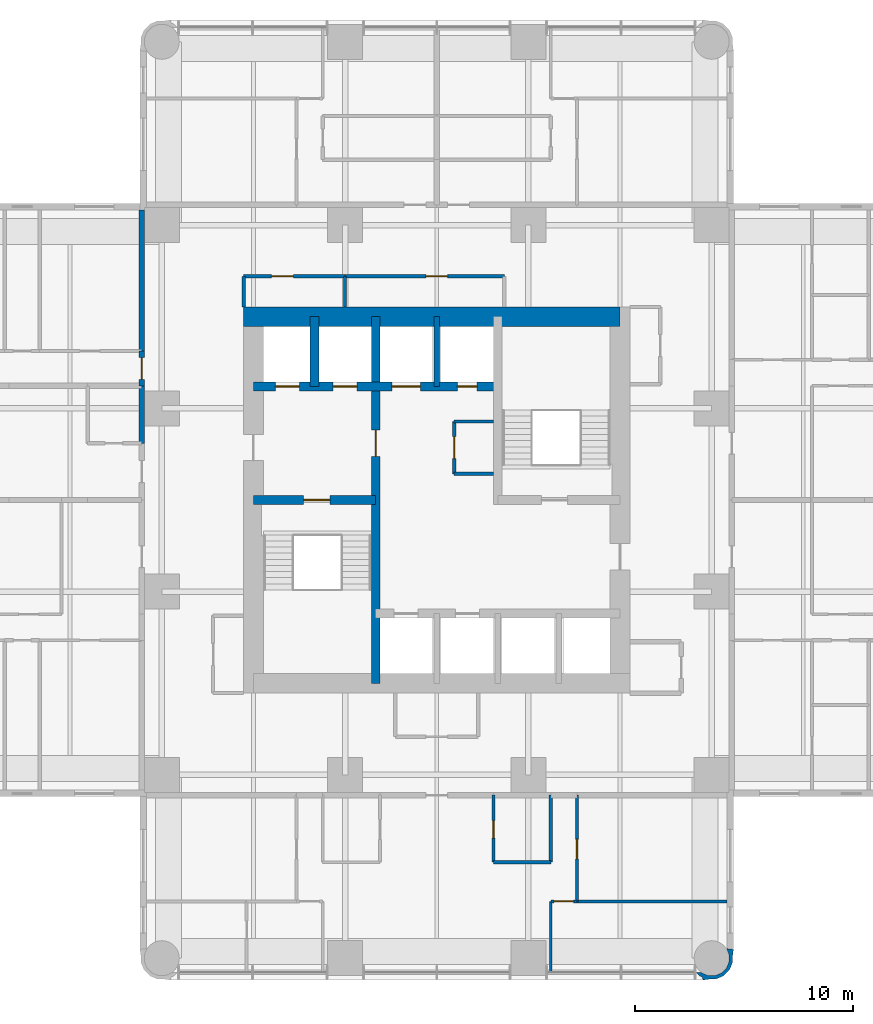
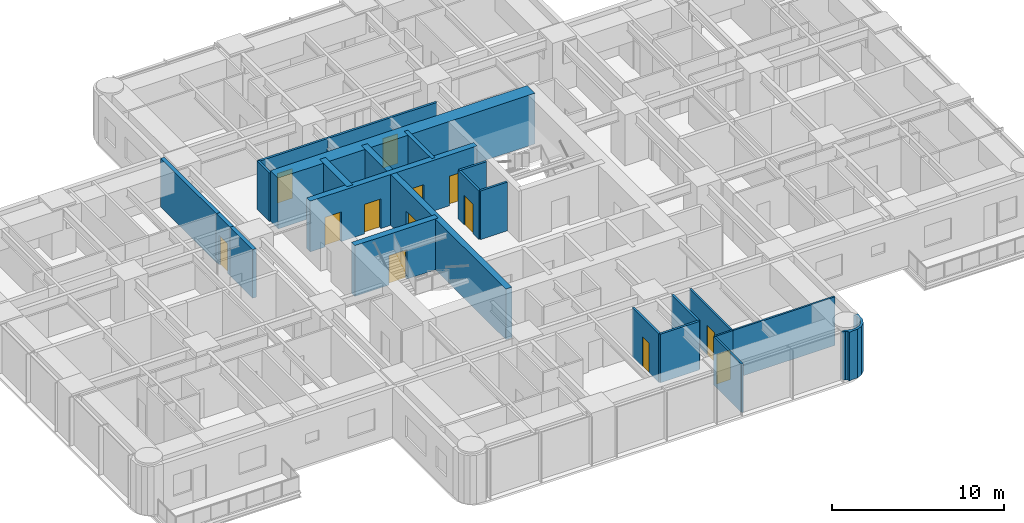
# One storey, part 8 of 15: 24 walls, 13 doors, 13 openings.
"""IFC4 building model written with IfcOpenShell, lengths in metres."""

from ifc_helpers import new_model, si_unit, direction, frame, frame_2d, origin, place, context, subcontext, project, spatial, polyline, rectangle, outline, extrude, material, layer, layer_set, type_object, element, fill, save


model = new_model("IFC4")

# Units and contexts
model_context = context("Model", 3, precision=1e-05, world=origin(), true_north=direction((0.0, 1.0)))
body_context = subcontext(model_context, "Body", "Model", "MODEL_VIEW")
ifc_project = project(units=[si_unit("LENGTHUNIT", "METRE"), si_unit("AREAUNIT", "SQUARE_METRE"), si_unit("VOLUMEUNIT", "CUBIC_METRE"), si_unit("PLANEANGLEUNIT", "RADIAN"), si_unit("MASSUNIT", "GRAM", prefix="KILO")], contexts=[model_context])

# Site, building, storey
site_placement = place(None, origin())
site = spatial("IfcSite", under=ifc_project, at=site_placement, CompositionType="ELEMENT")
building_placement = place(site_placement, origin())
building = spatial("IfcBuilding", under=site, at=building_placement, Name="Torre Alcanfor", CompositionType="ELEMENT")
storey_placement = place(building_placement, frame((0.0, 0.0, 119.699951171875)))
storey = spatial("IfcBuildingStorey", under=building, at=storey_placement, Name="L30", CompositionType="ELEMENT", Elevation=119.699951171875)

# Wall
ifc_material_1 = material(Name="Concrete block masonry, hollow blocks NMX-C-404 9 MPa", Category="masonry")
ifc_layer_1 = layer(ifc_material_1, 0.25)
ifc_layer_set_1 = layer_set([ifc_layer_1], Name="Apartment entrance wall 250 EI 60")
wall_type_1 = type_object("IfcWallType", Name="Apartment entrance wall 250 EI 60", PredefinedType="PARTITIONING", material=ifc_layer_set_1)
wall_1_placement = place(storey_placement, frame((15.875, 32.0, 0.0), z_axis=(0.0, 0.0, 1.0), x_axis=(0.0, 1.0, 0.0)))
element("IfcWall", 1, at=wall_1_placement, inside=storey, type_object=wall_type_1, Name="Partition L30-CORR / L30-W2A-BATH", PredefinedType="PARTITIONING", context=body_context, shape_type="SweptSolid", body=[
    extrude(rectangle(XDim=2.62890625, YDim=0.25, at=frame_2d((1.314453125, 0.0))), origin(), (0.0, 0.0, 1.0), 3.449951171875),
])

# Wall, opening, door
wall_2_placement = place(storey_placement, frame((15.875, 34.62890625, 0.0), z_axis=(0.0, 0.0, 1.0), x_axis=(0.0, 1.0, 0.0)))
wall_2 = element("IfcWall", 2, at=wall_2_placement, inside=storey, type_object=wall_type_1, Name="Partition L30-CORR / L30-W2B-HALL", PredefinedType="PARTITIONING", context=body_context, shape_type="SweptSolid", body=[
    extrude(rectangle(XDim=1.60009765625, YDim=0.25, at=frame_2d((0.800048828125, 0.0))), origin(), (0.0, 0.0, 1.0), 3.449951171875),
])
opening_1_placement = place(wall_2_placement, frame((0.300048828125, 0.0, 0.0)))
opening_1 = element("IfcOpeningElement", 3, at=opening_1_placement, cuts=wall_2, Name="Opening D-A1", PredefinedType="OPENING", context=body_context, shape_type="SweptSolid", body=[
    extrude(rectangle(XDim=1.0, YDim=2.10009765625, at=frame_2d((0.5, 1.050048828125))), frame((0.0, 0.135009765625, 0.0), z_axis=(0.0, -1.0, 0.0), x_axis=(1.0, 0.0, 0.0)), (0.0, 0.0, 1.0), 0.27001953125),
])
ifc_material_2 = material(Name="Galvanised steel sheet ASTM A653", Category="steel")
door_type_1 = type_object("IfcDoorType", Name="Apartment entrance door FD60 1000x2100", OperationType="SINGLE_SWING_LEFT", PredefinedType="DOOR", material=ifc_material_2)
door_1_placement = place(opening_1_placement, origin())
door_1 = element("IfcDoor", 4, at=door_1_placement, inside=storey, type_object=door_type_1, Name="Apartment entrance L30-W2B", OperationType="SINGLE_SWING_LEFT", OverallHeight=2.10009765625, OverallWidth=1.0, PredefinedType="DOOR", context=body_context, shape_type="SweptSolid", body=[
    extrude(rectangle(XDim=1.0, YDim=2.10009765625, at=frame_2d((0.5, 1.050048828125))), frame((0.0, 0.02490234375, 0.0), z_axis=(0.0, -1.0, 0.0), x_axis=(1.0, 0.0, 0.0)), (0.0, 0.0, 1.0), 0.050048828125),
])
fill(opening_1, door_1)

# Wall
wall_3_placement = place(storey_placement, frame((15.875, 36.22900390625, 0.0), z_axis=(0.0, 0.0, 1.0), x_axis=(0.0, 1.0, 0.0)))
element("IfcWall", 5, at=wall_3_placement, inside=storey, type_object=wall_type_1, Name="Partition L30-CORR / L30-W2B-BED2", PredefinedType="PARTITIONING", context=body_context, shape_type="SweptSolid", body=[
    extrude(rectangle(XDim=6.470947265625, YDim=0.25, at=frame_2d((3.2353515625, 0.0))), origin(), (0.0, 0.0, 1.0), 3.449951171875),
])

# Wall, opening, door
ifc_material_3 = material(Name="Gypsum board on steel studs", Category="steel")
ifc_layer_2 = layer(ifc_material_3, 0.1201171875)
ifc_layer_set_2 = layer_set([ifc_layer_2], Name="Apartment partition 120")
wall_type_2 = type_object("IfcWallType", Name="Apartment partition 120", PredefinedType="PARTITIONING", material=ifc_layer_set_2)
wall_4_placement = place(storey_placement, frame((35.8291015625, 15.875, 0.0), z_axis=(0.0, 0.0, 1.0), x_axis=(0.0, -1.0, 0.0)))
wall_4 = element("IfcWall", 6, at=wall_4_placement, inside=storey, type_object=wall_type_2, Name="Partition L30-SX-LIVING / L30-SX-BED2", PredefinedType="PARTITIONING", context=body_context, shape_type="SweptSolid", body=[
    extrude(rectangle(XDim=4.875, YDim=0.1201171875, at=frame_2d((2.4375, 0.0))), origin(), (0.0, 0.0, 1.0), 3.449951171875),
])
opening_2_placement = place(wall_4_placement, frame((2.02490234375, 0.0, 0.0)))
opening_2 = element("IfcOpeningElement", 7, at=opening_2_placement, cuts=wall_4, Name="Opening D-R1", PredefinedType="OPENING", context=body_context, shape_type="SweptSolid", body=[
    extrude(rectangle(XDim=0.89990234375, YDim=2.10009765625, at=frame_2d((0.449951171875, 1.050048828125))), frame((0.0, 0.070068359375, 0.0), z_axis=(0.0, -1.0, 0.0), x_axis=(1.0, 0.0, 0.0)), (0.0, 0.0, 1.0), 0.14013671875),
])
ifc_material_4 = material(Name="Timber", Category="wood")
door_type_2 = type_object("IfcDoorType", Name="Internal door 900x2100", OperationType="SINGLE_SWING_LEFT", PredefinedType="DOOR", material=ifc_material_4)
door_2_placement = place(opening_2_placement, origin())
door_2 = element("IfcDoor", 8, at=door_2_placement, inside=storey, type_object=door_type_2, Name="Door L30-SX bed2", OperationType="SINGLE_SWING_RIGHT", OverallHeight=2.10009765625, OverallWidth=0.89990234375, PredefinedType="DOOR", context=body_context, shape_type="SweptSolid", body=[
    extrude(rectangle(XDim=0.89990234375, YDim=2.10009765625, at=frame_2d((0.449951171875, 1.050048828125))), frame((0.0, 0.02490234375, 0.0), z_axis=(0.0, -1.0, 0.0), x_axis=(1.0, 0.0, 0.0)), (0.0, 0.0, 1.0), 0.050048828125),
])
fill(opening_2, door_2)

wall_5_placement = place(storey_placement, frame((35.8291015625, 11.0, 0.0), z_axis=(0.0, 0.0, 1.0), x_axis=(-1.0, 0.0, 0.0)))
wall_5 = element("IfcWall", 9, at=wall_5_placement, inside=storey, type_object=wall_type_2, Name="Partition L30-SX-LIVING / L30-SX-MASTER", PredefinedType="PARTITIONING", context=body_context, shape_type="SweptSolid", body=[
    extrude(rectangle(XDim=1.2001953125, YDim=0.1201171875, at=frame_2d((0.60009765625, 0.0))), origin(), (0.0, 0.0, 1.0), 3.449951171875),
])
opening_3_placement = place(wall_5_placement, frame((0.14892578125, 0.0, 0.0)))
opening_3 = element("IfcOpeningElement", 10, at=opening_3_placement, cuts=wall_5, Name="Opening D-R1", PredefinedType="OPENING", context=body_context, shape_type="SweptSolid", body=[
    extrude(rectangle(XDim=0.89990234375, YDim=2.10009765625, at=frame_2d((0.449951171875, 1.050048828125))), frame((0.0, 0.070068359375, 0.0), z_axis=(0.0, -1.0, 0.0), x_axis=(1.0, 0.0, 0.0)), (0.0, 0.0, 1.0), 0.14013671875),
])
door_3_placement = place(opening_3_placement, origin())
door_3 = element("IfcDoor", 11, at=door_3_placement, inside=storey, type_object=door_type_2, Name="Door L30-SX master", OperationType="SINGLE_SWING_RIGHT", OverallHeight=2.10009765625, OverallWidth=0.89990234375, PredefinedType="DOOR", context=body_context, shape_type="SweptSolid", body=[
    extrude(rectangle(XDim=0.89990234375, YDim=2.10009765625, at=frame_2d((0.449951171875, 1.050048828125))), frame((0.0, 0.02490234375, 0.0), z_axis=(0.0, -1.0, 0.0), x_axis=(1.0, 0.0, 0.0)), (0.0, 0.0, 1.0), 0.050048828125),
])
fill(opening_3, door_3)

# Walls
wall_6_placement = place(storey_placement, frame((34.62890625, 11.0, 0.0), z_axis=(0.0, 0.0, 1.0), x_axis=(0.0, -1.0, 0.0)))
element("IfcWall", 12, at=wall_6_placement, inside=storey, type_object=wall_type_2, Name="Partition L30-SX-LIVING / L30-SX-MASTER", PredefinedType="PARTITIONING", context=body_context, shape_type="SweptSolid", body=[
    extrude(rectangle(XDim=3.25, YDim=0.1201171875, at=frame_2d((1.625, 0.0))), origin(), (0.0, 0.0, 1.0), 3.449951171875),
])
wall_7_placement = place(storey_placement, frame((35.8291015625, 11.0, 0.0), z_axis=(0.0, 0.0, 1.0), x_axis=(1.0, 0.0, 0.0)))
element("IfcWall", 13, at=wall_7_placement, inside=storey, type_object=wall_type_2, Name="Partition L30-SX-BED2 / L30-SX-MASTER", PredefinedType="PARTITIONING", context=body_context, shape_type="SweptSolid", body=[
    extrude(rectangle(XDim=6.870849609375, YDim=0.1201171875, at=frame_2d((3.435546875, 0.0))), origin(), (0.0, 0.0, 1.0), 3.449951171875),
])

# Wall, opening, door
ifc_material_5 = material(Name="Concrete f'c 70 MPa", Category="concrete")
ifc_layer_3 = layer(ifc_material_5, 0.39990234375)
ifc_layer_set_3 = layer_set([ifc_layer_3], Name="Core inner wall 400 f'c70")
wall_type_3 = type_object("IfcWallType", Name="Core inner wall 400 f'c70", PredefinedType="SHEAR", material=ifc_layer_set_3)
wall_8_placement = place(storey_placement, frame((26.60009765625, 21.0, 0.0), z_axis=(0.0, 0.0, 1.0), x_axis=(0.0, 1.0, 0.0)))
wall_8 = element("IfcWall", 14, at=wall_8_placement, inside=storey, type_object=wall_type_3, Name="Core wall X266 L30", PredefinedType="SHEAR", context=body_context, shape_type="SweptSolid", body=[
    extrude(rectangle(XDim=16.800048828125, YDim=0.39990234375, at=frame_2d((8.39990234375, 0.0))), origin(), (0.0, 0.0, 1.0), 3.60009765625),
])
opening_4_placement = place(wall_8_placement, frame((10.39990234375, 0.0, 0.0)))
opening_4 = element("IfcOpeningElement", 15, at=opening_4_placement, cuts=wall_8, Name="Opening D-L1", PredefinedType="OPENING", context=body_context, shape_type="SweptSolid", body=[
    extrude(rectangle(XDim=1.199951171875, YDim=2.10009765625, at=frame_2d((0.60009765625, 1.050048828125))), frame((0.0, 0.2099609375, 0.0), z_axis=(0.0, -1.0, 0.0), x_axis=(1.0, 0.0, 0.0)), (0.0, 0.0, 1.0), 0.419921875),
])
ifc_material_6 = material(Name="Galvanised steel sheet ASTM A653", Category="steel")
door_type_3 = type_object("IfcDoorType", Name="Lobby door FD120 1200x2100", OperationType="SINGLE_SWING_LEFT", PredefinedType="DOOR", material=ifc_material_6)
door_4_placement = place(opening_4_placement, origin())
door_4 = element("IfcDoor", 16, at=door_4_placement, inside=storey, type_object=door_type_3, Name="Lift lobby door L30", OperationType="SINGLE_SWING_LEFT", OverallHeight=2.10009765625, OverallWidth=1.199951171875, PredefinedType="DOOR", context=body_context, shape_type="SweptSolid", body=[
    extrude(rectangle(XDim=1.199951171875, YDim=2.10009765625, at=frame_2d((0.60009765625, 1.050048828125))), frame((0.0, 0.02490234375, 0.0), z_axis=(0.0, -1.0, 0.0), x_axis=(1.0, 0.0, 0.0)), (0.0, 0.0, 1.0), 0.050048828125),
])
fill(opening_4, door_4)

wall_9_placement = place(storey_placement, frame((21.0, 29.39990234375, 0.0), z_axis=(0.0, 0.0, 1.0), x_axis=(1.0, 0.0, 0.0)))
wall_9 = element("IfcWall", 17, at=wall_9_placement, inside=storey, type_object=wall_type_3, Name="Core wall Y294W L30", PredefinedType="SHEAR", context=body_context, shape_type="SweptSolid", body=[
    extrude(rectangle(XDim=5.60009765625, YDim=0.39990234375, at=frame_2d((2.800048828125, 0.0))), origin(), (0.0, 0.0, 1.0), 3.60009765625),
])
opening_5_placement = place(wall_9_placement, frame((2.300048828125, 0.0, 0.0)))
opening_5 = element("IfcOpeningElement", 18, at=opening_5_placement, cuts=wall_9, Name="Opening D-S2", PredefinedType="OPENING", context=body_context, shape_type="SweptSolid", body=[
    extrude(rectangle(XDim=1.199951171875, YDim=2.10009765625, at=frame_2d((0.60009765625, 1.050048828125))), frame((0.0, 0.2099609375, 0.0), z_axis=(0.0, -1.0, 0.0), x_axis=(1.0, 0.0, 0.0)), (0.0, 0.0, 1.0), 0.419921875),
])
ifc_material_7 = material(Name="Galvanised steel sheet ASTM A653", Category="steel")
door_type_4 = type_object("IfcDoorType", Name="Stair enclosure door FD120 1200x2100", OperationType="SINGLE_SWING_LEFT", PredefinedType="DOOR", material=ifc_material_7)
door_5_placement = place(opening_5_placement, frame((1.199951171875, 0.0, 0.0), z_axis=(0.0, 0.0, 1.0), x_axis=(-1.0, 0.0, 0.0)))
door_5 = element("IfcDoor", 19, at=door_5_placement, inside=storey, type_object=door_type_4, Name="Stair S1 door L30", OperationType="SINGLE_SWING_LEFT", OverallHeight=2.10009765625, OverallWidth=1.199951171875, PredefinedType="DOOR", context=body_context, shape_type="SweptSolid", body=[
    extrude(rectangle(XDim=1.199951171875, YDim=2.10009765625, at=frame_2d((0.599853515625, 1.050048828125))), frame((0.0, 0.025146484375, 0.0), z_axis=(0.0, -1.0, 0.0), x_axis=(1.0, 0.0, 0.0)), (0.0, 0.0, 1.0), 0.050048828125),
])
fill(opening_5, door_5)

# Wall, openings, doors
wall_10_placement = place(storey_placement, frame((21.0, 34.60009765625, 0.0), z_axis=(0.0, 0.0, 1.0), x_axis=(1.0, 0.0, 0.0)))
wall_10 = element("IfcWall", 20, at=wall_10_placement, inside=storey, type_object=wall_type_3, Name="Core wall Y346 L30", PredefinedType="SHEAR", context=body_context, shape_type="SweptSolid", body=[
    extrude(rectangle(XDim=11.199951171875, YDim=0.39990234375, at=frame_2d((5.60009765625, 0.0))), origin(), (0.0, 0.0, 1.0), 3.60009765625),
])
opening_6_placement = place(wall_10_placement, frame((9.35009765625, 0.0, 0.0)))
opening_6 = element("IfcOpeningElement", 21, at=opening_6_placement, cuts=wall_10, Name="Opening D-Q1", PredefinedType="OPENING", context=body_context, shape_type="SweptSolid", body=[
    extrude(rectangle(XDim=0.89990234375, YDim=2.10009765625, at=frame_2d((0.449951171875, 1.050048828125))), frame((0.0, 0.2099609375, 0.0), z_axis=(0.0, -1.0, 0.0), x_axis=(1.0, 0.0, 0.0)), (0.0, 0.0, 1.0), 0.419921875),
])
opening_7_placement = place(wall_10_placement, frame((1.0, 0.0, 0.0)))
opening_7 = element("IfcOpeningElement", 22, at=opening_7_placement, cuts=wall_10, Name="Opening LD2", PredefinedType="OPENING", context=body_context, shape_type="SweptSolid", body=[
    extrude(rectangle(XDim=1.10009765625, YDim=2.10009765625, at=frame_2d((0.550048828125, 1.050048828125))), frame((0.0, 0.2099609375, 0.0), z_axis=(0.0, -1.0, 0.0), x_axis=(1.0, 0.0, 0.0)), (0.0, 0.0, 1.0), 0.419921875),
])
opening_8_placement = place(wall_10_placement, frame((3.64990234375, 0.0, 0.0)))
opening_8 = element("IfcOpeningElement", 23, at=opening_8_placement, cuts=wall_10, Name="Opening LD2", PredefinedType="OPENING", context=body_context, shape_type="SweptSolid", body=[
    extrude(rectangle(XDim=1.10009765625, YDim=2.10009765625, at=frame_2d((0.550048828125, 1.050048828125))), frame((0.0, 0.2099609375, 0.0), z_axis=(0.0, -1.0, 0.0), x_axis=(1.0, 0.0, 0.0)), (0.0, 0.0, 1.0), 0.419921875),
])
opening_9_placement = place(wall_10_placement, frame((6.35009765625, 0.0, 0.0)))
opening_9 = element("IfcOpeningElement", 24, at=opening_9_placement, cuts=wall_10, Name="Opening LD3", PredefinedType="OPENING", context=body_context, shape_type="SweptSolid", body=[
    extrude(rectangle(XDim=1.300048828125, YDim=2.10009765625, at=frame_2d((0.64990234375, 1.050048828125))), frame((0.0, 0.2099609375, 0.0), z_axis=(0.0, -1.0, 0.0), x_axis=(1.0, 0.0, 0.0)), (0.0, 0.0, 1.0), 0.419921875),
])
ifc_material_8 = material(Name="Galvanised steel sheet ASTM A653", Category="steel")
door_type_5 = type_object("IfcDoorType", Name="Firefighting lift landing door 1100x2100", OperationType="DOUBLE_DOOR_SLIDING", PredefinedType="DOOR", material=ifc_material_8)
door_6_placement = place(opening_7_placement, origin())
door_6 = element("IfcDoor", 25, at=door_6_placement, inside=storey, type_object=door_type_5, Name="Lift landing door FL1 L30", OperationType="DOUBLE_DOOR_SLIDING", OverallHeight=2.10009765625, OverallWidth=1.10009765625, PredefinedType="DOOR", context=body_context, shape_type="SweptSolid", body=[
    extrude(rectangle(XDim=1.10009765625, YDim=2.10009765625, at=frame_2d((0.550048828125, 1.050048828125))), frame((0.0, 0.02490234375, 0.0), z_axis=(0.0, -1.0, 0.0), x_axis=(1.0, 0.0, 0.0)), (0.0, 0.0, 1.0), 0.050048828125),
])
fill(opening_7, door_6)
door_7_placement = place(opening_8_placement, origin())
door_7 = element("IfcDoor", 26, at=door_7_placement, inside=storey, type_object=door_type_5, Name="Lift landing door FL2 L30", OperationType="DOUBLE_DOOR_SLIDING", OverallHeight=2.10009765625, OverallWidth=1.10009765625, PredefinedType="DOOR", context=body_context, shape_type="SweptSolid", body=[
    extrude(rectangle(XDim=1.10009765625, YDim=2.10009765625, at=frame_2d((0.550048828125, 1.050048828125))), frame((0.0, 0.02490234375, 0.0), z_axis=(0.0, -1.0, 0.0), x_axis=(1.0, 0.0, 0.0)), (0.0, 0.0, 1.0), 0.050048828125),
])
fill(opening_8, door_7)
ifc_material_9 = material(Name="Galvanised steel sheet ASTM A653", Category="steel")
door_type_6 = type_object("IfcDoorType", Name="Riser access door FD120 900x2100", OperationType="SINGLE_SWING_LEFT", PredefinedType="DOOR", material=ifc_material_9)
door_8_placement = place(opening_6_placement, origin())
door_8 = element("IfcDoor", 27, at=door_8_placement, inside=storey, type_object=door_type_6, Name="Riser door L30", OperationType="SINGLE_SWING_LEFT", OverallHeight=2.10009765625, OverallWidth=0.89990234375, PredefinedType="DOOR", context=body_context, shape_type="SweptSolid", body=[
    extrude(rectangle(XDim=0.89990234375, YDim=2.10009765625, at=frame_2d((0.449951171875, 1.050048828125))), frame((0.0, 0.02490234375, 0.0), z_axis=(0.0, -1.0, 0.0), x_axis=(1.0, 0.0, 0.0)), (0.0, 0.0, 1.0), 0.050048828125),
])
fill(opening_6, door_8)
ifc_material_10 = material(Name="Galvanised steel sheet ASTM A653", Category="steel")
door_type_7 = type_object("IfcDoorType", Name="Service lift landing door 1300x2100", OperationType="DOUBLE_DOOR_SLIDING", PredefinedType="DOOR", material=ifc_material_10)
door_9_placement = place(opening_9_placement, origin())
door_9 = element("IfcDoor", 28, at=door_9_placement, inside=storey, type_object=door_type_7, Name="Lift landing door SL1 L30", OperationType="DOUBLE_DOOR_SLIDING", OverallHeight=2.10009765625, OverallWidth=1.300048828125, PredefinedType="DOOR", context=body_context, shape_type="SweptSolid", body=[
    extrude(rectangle(XDim=1.300048828125, YDim=2.10009765625, at=frame_2d((0.64990234375, 1.050048828125))), frame((0.0, 0.02490234375, 0.0), z_axis=(0.0, -1.0, 0.0), x_axis=(1.0, 0.0, 0.0)), (0.0, 0.0, 1.0), 0.050048828125),
])
fill(opening_9, door_9)

# Walls
wall_11_placement = place(storey_placement, frame((23.800048828125, 34.60009765625, 0.0), z_axis=(0.0, 0.0, 1.0), x_axis=(0.0, 1.0, 0.0)))
element("IfcWall", 29, at=wall_11_placement, inside=storey, type_object=wall_type_3, Name="Core wall X238 L30", PredefinedType="SHEAR", context=body_context, shape_type="SweptSolid", body=[
    extrude(rectangle(XDim=3.199951171875, YDim=0.39990234375, at=frame_2d((1.60009765625, 0.0))), origin(), (0.0, 0.0, 1.0), 3.60009765625),
])
ifc_material_11 = material(Name="Concrete f'c 70 MPa", Category="concrete")
ifc_layer_4 = layer(ifc_material_11, 0.25)
ifc_layer_set_4 = layer_set([ifc_layer_4], Name="Core shaft wall 250 f'c70")
wall_type_4 = type_object("IfcWallType", Name="Core shaft wall 250 f'c70", PredefinedType="SHEAR", material=ifc_layer_set_4)
wall_12_placement = place(storey_placement, frame((29.39990234375, 34.60009765625, 0.0), z_axis=(0.0, 0.0, 1.0), x_axis=(0.0, 1.0, 0.0)))
element("IfcWall", 30, at=wall_12_placement, inside=storey, type_object=wall_type_4, Name="Core wall X294N L30", PredefinedType="SHEAR", context=body_context, shape_type="SweptSolid", body=[
    extrude(rectangle(XDim=3.199951171875, YDim=0.25, at=frame_2d((1.60009765625, 0.0))), origin(), (0.0, 0.0, 1.0), 3.60009765625),
])
ifc_material_12 = material(Name="Concrete f'c 70 MPa", Category="concrete")
ifc_layer_5 = layer(ifc_material_12, 0.89990234375)
ifc_layer_set_5 = layer_set([ifc_layer_5], Name="Core wall 900 f'c70")
wall_type_5 = type_object("IfcWallType", Name="Core wall 900 f'c70", PredefinedType="SHEAR", material=ifc_layer_set_5)
wall_13_placement = place(storey_placement, frame((37.800048828125, 37.800048828125, 0.0), z_axis=(0.0, 0.0, 1.0), x_axis=(-1.0, 0.0, 0.0)))
element("IfcWall", 31, at=wall_13_placement, inside=storey, type_object=wall_type_5, Name="Core wall OUT-N L30", PredefinedType="SHEAR", context=body_context, shape_type="SweptSolid", body=[
    extrude(rectangle(XDim=17.25, YDim=0.89990234375, at=frame_2d((8.625, 0.0))), origin(), (0.0, 0.0, 1.0), 3.60009765625),
])

# Wall, opening, door
ifc_material_13 = material(Name="Concrete block masonry, hollow blocks NMX-C-404 9 MPa", Category="masonry")
ifc_layer_6 = layer(ifc_material_13, 0.14990234375)
ifc_layer_set_6 = layer_set([ifc_layer_6], Name="Residents' room partition 150")
wall_type_6 = type_object("IfcWallType", Name="Residents' room partition 150", PredefinedType="PARTITIONING", material=ifc_layer_set_6)
wall_14_placement = place(storey_placement, frame((25.199951171875, 39.64990234375, 0.0), z_axis=(0.0, 0.0, 1.0), x_axis=(-1.0, 0.0, 0.0)))
wall_14 = element("IfcWall", 32, at=wall_14_placement, inside=storey, type_object=wall_type_6, Name="Partition L30-CORR / L30-G01", PredefinedType="PARTITIONING", context=body_context, shape_type="SweptSolid", body=[
    extrude(rectangle(XDim=4.64990234375, YDim=0.14990234375, at=frame_2d((2.324951171875, 0.0))), origin(), (0.0, 0.0, 1.0), 3.449951171875),
])
opening_10_placement = place(wall_14_placement, frame((2.375, 0.0, 0.0)))
opening_10 = element("IfcOpeningElement", 33, at=opening_10_placement, cuts=wall_14, Name="Opening D-M1", PredefinedType="OPENING", context=body_context, shape_type="SweptSolid", body=[
    extrude(rectangle(XDim=1.0, YDim=2.10009765625, at=frame_2d((0.5, 1.050048828125))), frame((0.0, 0.0849609375, 0.0), z_axis=(0.0, -1.0, 0.0), x_axis=(1.0, 0.0, 0.0)), (0.0, 0.0, 1.0), 0.169921875),
])
ifc_material_14 = material(Name="Timber", Category="wood")
door_type_8 = type_object("IfcDoorType", Name="Residents' room door 1000x2100", OperationType="SINGLE_SWING_LEFT", PredefinedType="DOOR", material=ifc_material_14)
door_10_placement = place(opening_10_placement, origin())
door_10 = element("IfcDoor", 34, at=door_10_placement, inside=storey, type_object=door_type_8, Name="Door L30-G01 residents' storage lockers", OperationType="SINGLE_SWING_RIGHT", OverallHeight=2.10009765625, OverallWidth=1.0, PredefinedType="DOOR", context=body_context, shape_type="SweptSolid", body=[
    extrude(rectangle(XDim=1.0, YDim=2.10009765625, at=frame_2d((0.5, 1.050048828125))), frame((0.0, 0.02490234375, 0.0), z_axis=(0.0, -1.0, 0.0), x_axis=(1.0, 0.0, 0.0)), (0.0, 0.0, 1.0), 0.050048828125),
])
fill(opening_10, door_10)

# Wall
wall_15_placement = place(storey_placement, frame((20.550048828125, 39.64990234375, 0.0), z_axis=(0.0, 0.0, 1.0), x_axis=(0.0, -1.0, 0.0)))
element("IfcWall", 35, at=wall_15_placement, inside=storey, type_object=wall_type_6, Name="Partition L30-CORR / L30-G01", PredefinedType="PARTITIONING", context=body_context, shape_type="SweptSolid", body=[
    extrude(rectangle(XDim=1.39990234375, YDim=0.14990234375, at=frame_2d((0.699951171875, 0.0))), origin(), (0.0, 0.0, 1.0), 3.449951171875),
])

# Wall, opening, door
wall_16_placement = place(storey_placement, frame((32.5, 39.64990234375, 0.0), z_axis=(0.0, 0.0, 1.0), x_axis=(-1.0, 0.0, 0.0)))
wall_16 = element("IfcWall", 36, at=wall_16_placement, inside=storey, type_object=wall_type_6, Name="Partition L30-CORR / L30-G02", PredefinedType="PARTITIONING", context=body_context, shape_type="SweptSolid", body=[
    extrude(rectangle(XDim=7.300048828125, YDim=0.14990234375, at=frame_2d((3.64990234375, 0.0))), origin(), (0.0, 0.0, 1.0), 3.449951171875),
])
opening_11_placement = place(wall_16_placement, frame((2.60009765625, 0.0, 0.0)))
opening_11 = element("IfcOpeningElement", 37, at=opening_11_placement, cuts=wall_16, Name="Opening D-M1", PredefinedType="OPENING", context=body_context, shape_type="SweptSolid", body=[
    extrude(rectangle(XDim=1.0, YDim=2.10009765625, at=frame_2d((0.5, 1.050048828125))), frame((0.0, 0.0849609375, 0.0), z_axis=(0.0, -1.0, 0.0), x_axis=(1.0, 0.0, 0.0)), (0.0, 0.0, 1.0), 0.169921875),
])
door_11_placement = place(opening_11_placement, origin())
door_11 = element("IfcDoor", 38, at=door_11_placement, inside=storey, type_object=door_type_8, Name="Door L30-G02 residents' study room", OperationType="SINGLE_SWING_LEFT", OverallHeight=2.10009765625, OverallWidth=1.0, PredefinedType="DOOR", context=body_context, shape_type="SweptSolid", body=[
    extrude(rectangle(XDim=1.0, YDim=2.10009765625, at=frame_2d((0.5, 1.050048828125))), frame((0.0, 0.02490234375, 0.0), z_axis=(0.0, -1.0, 0.0), x_axis=(1.0, 0.0, 0.0)), (0.0, 0.0, 1.0), 0.050048828125),
])
fill(opening_11, door_11)

# Walls
wall_17_placement = place(storey_placement, frame((25.199951171875, 38.25, 0.0), z_axis=(0.0, 0.0, 1.0), x_axis=(0.0, 1.0, 0.0)))
element("IfcWall", 39, at=wall_17_placement, inside=storey, type_object=wall_type_6, Name="Partition L30-G01 / L30-G02", PredefinedType="PARTITIONING", context=body_context, shape_type="SweptSolid", body=[
    extrude(rectangle(XDim=1.39990234375, YDim=0.14990234375, at=frame_2d((0.699951171875, 0.0))), origin(), (0.0, 0.0, 1.0), 2.766845703125),
])
wall_18_placement = place(storey_placement, frame((32.0, 30.60009765625, 0.0), z_axis=(0.0, 0.0, 1.0), x_axis=(-1.0, 0.0, 0.0)))
element("IfcWall", 40, at=wall_18_placement, inside=storey, type_object=wall_type_6, Name="Partition L30-LL / L30-CR1", PredefinedType="PARTITIONING", context=body_context, shape_type="SweptSolid", body=[
    extrude(rectangle(XDim=1.800048828125, YDim=0.14990234375, at=frame_2d((0.89990234375, 0.0))), origin(), (0.0, 0.0, 1.0), 3.449951171875),
])

# Wall, opening, door
wall_19_placement = place(storey_placement, frame((30.199951171875, 30.60009765625, 0.0), z_axis=(0.0, 0.0, 1.0), x_axis=(0.0, 1.0, 0.0)))
wall_19 = element("IfcWall", 41, at=wall_19_placement, inside=storey, type_object=wall_type_6, Name="Partition L30-LL / L30-CR1", PredefinedType="PARTITIONING", context=body_context, shape_type="SweptSolid", body=[
    extrude(rectangle(XDim=2.39990234375, YDim=0.14990234375, at=frame_2d((1.199951171875, 0.0))), origin(), (0.0, 0.0, 1.0), 3.449951171875),
])
opening_12_placement = place(wall_19_placement, frame((0.699951171875, 0.0, 0.0)))
opening_12 = element("IfcOpeningElement", 42, at=opening_12_placement, cuts=wall_19, Name="Opening D-M1", PredefinedType="OPENING", context=body_context, shape_type="SweptSolid", body=[
    extrude(rectangle(XDim=1.0, YDim=2.10009765625, at=frame_2d((0.5, 1.050048828125))), frame((0.0, 0.0849609375, 0.0), z_axis=(0.0, -1.0, 0.0), x_axis=(1.0, 0.0, 0.0)), (0.0, 0.0, 1.0), 0.169921875),
])
door_12_placement = place(opening_12_placement, frame((1.0, 0.0, 0.0), z_axis=(0.0, 0.0, 1.0), x_axis=(-1.0, 0.0, 0.0)))
door_12 = element("IfcDoor", 43, at=door_12_placement, inside=storey, type_object=door_type_8, Name="Vending and ice room door L30", OperationType="SINGLE_SWING_RIGHT", OverallHeight=2.10009765625, OverallWidth=1.0, PredefinedType="DOOR", context=body_context, shape_type="SweptSolid", body=[
    extrude(rectangle(XDim=1.0, YDim=2.10009765625, at=frame_2d((0.5, 1.050048828125))), frame((0.0, 0.025146484375, 0.0), z_axis=(0.0, -1.0, 0.0), x_axis=(1.0, 0.0, 0.0)), (0.0, 0.0, 1.0), 0.050048828125),
])
fill(opening_12, door_12)

# Walls
wall_20_placement = place(storey_placement, frame((30.199951171875, 33.0, 0.0), z_axis=(0.0, 0.0, 1.0), x_axis=(1.0, 0.0, 0.0)))
element("IfcWall", 44, at=wall_20_placement, inside=storey, type_object=wall_type_6, Name="Partition L30-LL / L30-CR1", PredefinedType="PARTITIONING", context=body_context, shape_type="SweptSolid", body=[
    extrude(rectangle(XDim=1.800048828125, YDim=0.14990234375, at=frame_2d((0.89990234375, 0.0))), origin(), (0.0, 0.0, 1.0), 3.449951171875),
])
ifc_material_15 = material(Name="Limestone cladding", Category="masonry")
ifc_layer_7 = layer(ifc_material_15, 0.0400390625, Name="Facing")
ifc_material_16 = material(Name="Ventilated air cavity")
ifc_layer_8 = layer(ifc_material_16, 0.02001953125, ventilated=True, Name="Ventilated joint")
ifc_material_17 = material(Name="Mineral wool insulation", Category="insulation")
ifc_layer_9 = layer(ifc_material_17, 0.10009765625, Name="Insulation")
ifc_material_18 = material(Name="Concrete f'c 35 MPa", Category="concrete")
ifc_layer_10 = layer(ifc_material_18, 0.139892578125, Name="Backing")
ifc_layer_set_7 = layer_set([ifc_layer_7, ifc_layer_8, ifc_layer_9, ifc_layer_10], Name="Rounded corner pier stone-clad 300")
wall_type_7 = type_object("IfcWallType", Name="Rounded corner pier stone-clad 300", PredefinedType="SOLIDWALL", material=ifc_layer_set_7)
wall_21_placement = place(storey_placement, frame((41.351928198, 7.804682488, 0.0), z_axis=(0.0, 0.0, 1.0), x_axis=(0.343276641956, -0.93923434088, 0.0)))
element("IfcWall", 45, at=wall_21_placement, inside=storey, type_object=wall_type_7, Name="Corner pier L30 16", PredefinedType="SOLIDWALL", context=body_context, shape_type="SweptSolid", body=[
    extrude(outline(polyline([(-0.3691376945080963, 1.8896116474277462), (-0.5092849006082865, 1.6213723434863179), (-0.4904818693699753, 1.614500106025285), (-0.47937395557818696, 1.6086207727425919), (-0.21134604487110653, 1.620093396259431), (0.08789731812884549, 1.5107242513003132), (0.3226193813038204, 1.29522875171589), (0.4568297522668325, 1.0059961170728082), (0.47018090116819644, 0.6876338955306306), (0.3608955639829935, 0.3886198377896824), (0.14540006439857034, 0.15389777461470747), (0.10805580570731482, 0.136354268630141), (0.030952653705484567, -0.07460656965335008), (0.24105149879401783, 0.023022242841209073), (0.33345144333490195, 0.12363819812835387), (0.46537419024986754, 0.09413770889727405), (0.5320249985235461, 0.39313792602006), (0.6305829406476248, 0.6628009106085226), (0.6143313238115743, 1.0443478664441104), (0.4534111053034037, 1.390650880852334), (0.17226586261802523, 1.6491069643028293), (-0.09739712197043726, 1.7476649064269079), (-0.3691376945080963, 1.8896116474277462)])), origin(), (0.0, 0.0, 1.0), 3.449951171875),
])

# Wall, opening, door
ifc_material_19 = material(Name="Cement board on steel studs", Category="steel")
ifc_layer_11 = layer(ifc_material_19, 0.14990234375)
ifc_layer_set_8 = layer_set([ifc_layer_11], Name="Wet area partition 150")
wall_type_8 = type_object("IfcWallType", Name="Wet area partition 150", PredefinedType="PARTITIONING", material=ifc_layer_set_8)
wall_22_placement = place(storey_placement, frame((32.0, 12.800048828125, 0.0), z_axis=(0.0, 0.0, 1.0), x_axis=(0.0, 1.0, 0.0)))
wall_22 = element("IfcWall", 46, at=wall_22_placement, inside=storey, type_object=wall_type_8, Name="Partition L30-SX-ZAG / L30-SX-BATH2", PredefinedType="PARTITIONING", context=body_context, shape_type="SweptSolid", body=[
    extrude(rectangle(XDim=3.074951171875, YDim=0.14990234375, at=frame_2d((1.53759765625, 0.0))), origin(), (0.0, 0.0, 1.0), 3.449951171875),
])
opening_13_placement = place(wall_22_placement, frame((1.10009765625, 0.0, 0.0)))
opening_13 = element("IfcOpeningElement", 47, at=opening_13_placement, cuts=wall_22, Name="Opening D-R2", PredefinedType="OPENING", context=body_context, shape_type="SweptSolid", body=[
    extrude(rectangle(XDim=0.800048828125, YDim=2.10009765625, at=frame_2d((0.39990234375, 1.050048828125))), frame((0.0, 0.0849609375, 0.0), z_axis=(0.0, -1.0, 0.0), x_axis=(1.0, 0.0, 0.0)), (0.0, 0.0, 1.0), 0.169921875),
])
ifc_material_20 = material(Name="Timber", Category="wood")
door_type_9 = type_object("IfcDoorType", Name="Bathroom door 800x2100", OperationType="SINGLE_SWING_LEFT", PredefinedType="DOOR", material=ifc_material_20)
door_13_placement = place(opening_13_placement, frame((0.800048828125, 0.0, 0.0), z_axis=(0.0, 0.0, 1.0), x_axis=(-1.0, 0.0, 0.0)))
door_13 = element("IfcDoor", 48, at=door_13_placement, inside=storey, type_object=door_type_9, Name="Door L30-SX bath2", OperationType="SINGLE_SWING_RIGHT", OverallHeight=2.10009765625, OverallWidth=0.800048828125, PredefinedType="DOOR", context=body_context, shape_type="SweptSolid", body=[
    extrude(rectangle(XDim=0.800048828125, YDim=2.10009765625, at=frame_2d((0.400146484375, 1.050048828125))), frame((0.0, 0.025146484375, 0.0), z_axis=(0.0, -1.0, 0.0), x_axis=(1.0, 0.0, 0.0)), (0.0, 0.0, 1.0), 0.050048828125),
])
fill(opening_13, door_13)

# Walls
wall_23_placement = place(storey_placement, frame((32.0, 12.800048828125, 0.0), z_axis=(0.0, 0.0, 1.0), x_axis=(1.0, 0.0, 0.0)))
element("IfcWall", 49, at=wall_23_placement, inside=storey, type_object=wall_type_8, Name="Partition L30-SX-BATH2 / L30-SX-LIVING", PredefinedType="PARTITIONING", context=body_context, shape_type="SweptSolid", body=[
    extrude(rectangle(XDim=2.62890625, YDim=0.14990234375, at=frame_2d((1.314453125, 0.0))), origin(), (0.0, 0.0, 1.0), 3.449951171875),
])
wall_24_placement = place(storey_placement, frame((34.62890625, 12.800048828125, 0.0), z_axis=(0.0, 0.0, 1.0), x_axis=(0.0, 1.0, 0.0)))
element("IfcWall", 50, at=wall_24_placement, inside=storey, type_object=wall_type_8, Name="Partition L30-SX-BATH2 / L30-SX-LIVING", PredefinedType="PARTITIONING", context=body_context, shape_type="SweptSolid", body=[
    extrude(rectangle(XDim=3.074951171875, YDim=0.14990234375, at=frame_2d((1.53759765625, 0.0))), origin(), (0.0, 0.0, 1.0), 3.449951171875),
])

save(model, "model.ifc")
